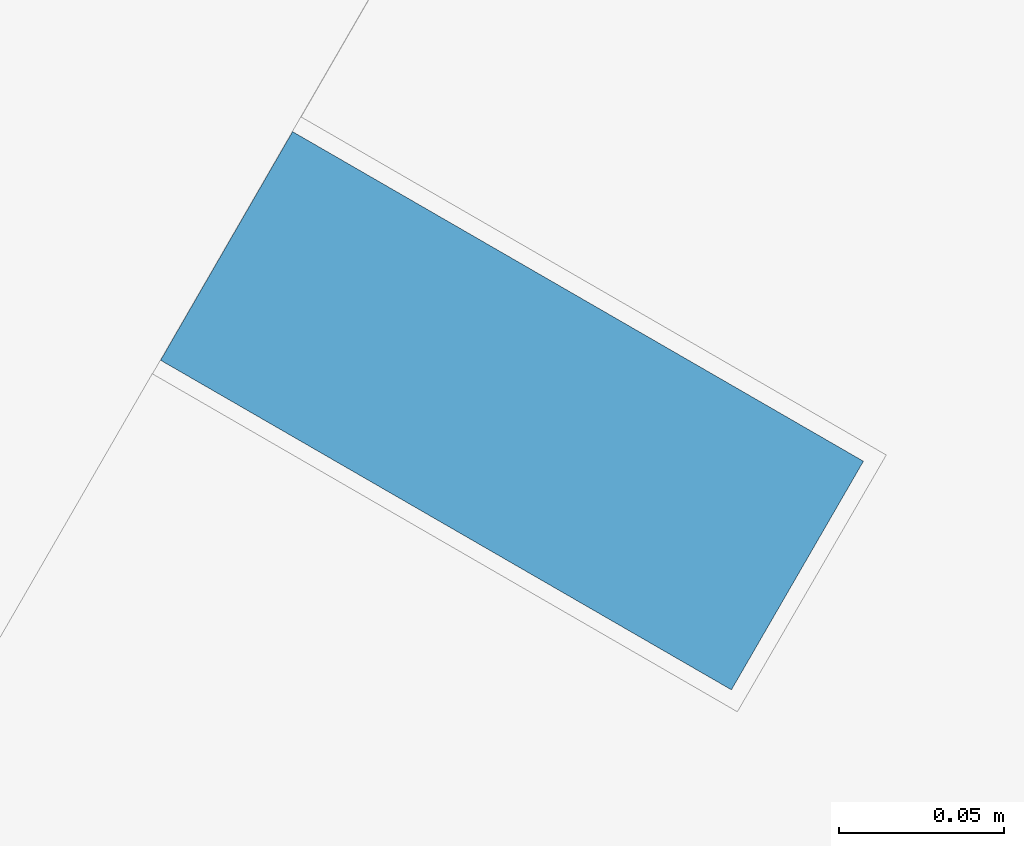
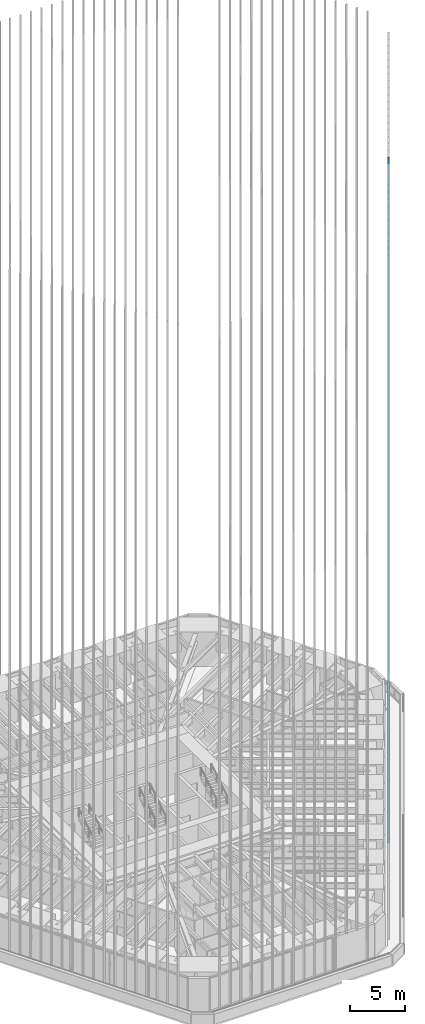
# One storey, part 90 of 238: 1 member, 1 element without a shape of its own.
"""IFC4 building model written with IfcOpenShell, lengths in metres."""

from ifc_helpers import new_model, si_unit, direction, frame, origin, origin_2d, place, context, subcontext, project, spatial, rectangle, extrude, material, material_profile, profile_set, type_object, element, aggregate, save


model = new_model("IFC4")

# Units and contexts
model_context = context("Model", 3, precision=1e-05, world=origin(), true_north=direction((0.0, 1.0)))
body_context = subcontext(model_context, "Body", "Model", "MODEL_VIEW")
ifc_project = project(units=[si_unit("LENGTHUNIT", "METRE"), si_unit("AREAUNIT", "SQUARE_METRE"), si_unit("VOLUMEUNIT", "CUBIC_METRE"), si_unit("PLANEANGLEUNIT", "RADIAN"), si_unit("MASSUNIT", "GRAM", prefix="KILO")], contexts=[model_context])

# Site, building, storey
site_placement = place(None, origin())
site = spatial("IfcSite", under=ifc_project, at=site_placement, CompositionType="ELEMENT")
building_placement = place(site_placement, origin())
building = spatial("IfcBuilding", under=site, at=building_placement, Name="Sandreach Pilgrim Tower", CompositionType="ELEMENT")
storey_placement = place(building_placement, frame((0.0, 0.0, 96.800048828125)))
storey = spatial("IfcBuildingStorey", under=building, at=storey_placement, Name="L23", CompositionType="ELEMENT", Elevation=96.800048828125)

# Curtain wall, member
ifc_material_1 = material(Name="Aluminium framed curtain wall", Category="aluminium")
curtain_wall_type = type_object("IfcCurtainWallType", Name="Hotel tower curtain wall", PredefinedType="NOTDEFINED", material=ifc_material_1)
curtain_wall_placement = place(storey_placement, origin())
curtain_wall = element("IfcCurtainWall", 1, at=curtain_wall_placement, inside=storey, type_object=curtain_wall_type, Name="CW-2 L23 SE", PredefinedType="NOTDEFINED")
ifc_material_2 = material(Name="Extruded terracotta on aluminium core", Category="masonry")
ifc_material_profile = material_profile(ifc_material_2, rectangle(XDim=0.080078125, YDim=0.199951171875, at=origin_2d()), Name="TBE 80X200")
ifc_profile_set = profile_set([ifc_material_profile], Name="Extruded terracotta on aluminium core")
member_type = type_object("IfcMemberType", Name="Terracotta baguette east", PredefinedType="USERDEFINED", material=ifc_profile_set)
member_placement = place(storey_placement, frame((18.725830078125, -13.353515625, 0.0), z_axis=(0.0, 0.0, 1.0), x_axis=(-0.5, -0.866025403784, 0.0)))
member = element("IfcMember", 2, at=member_placement, type_object=member_type, Name="Baguette Z2 SE19", ObjectType="BAGUETTE", PredefinedType="USERDEFINED", context=body_context, shape_type="SweptSolid", body=[
    extrude(rectangle(XDim=0.080078125, YDim=0.199951171875, at=origin_2d()), origin(), (0.0, 0.0, 1.0), 75.83984375),
])
aggregate(curtain_wall, [member])

save(model, "model.ifc")
